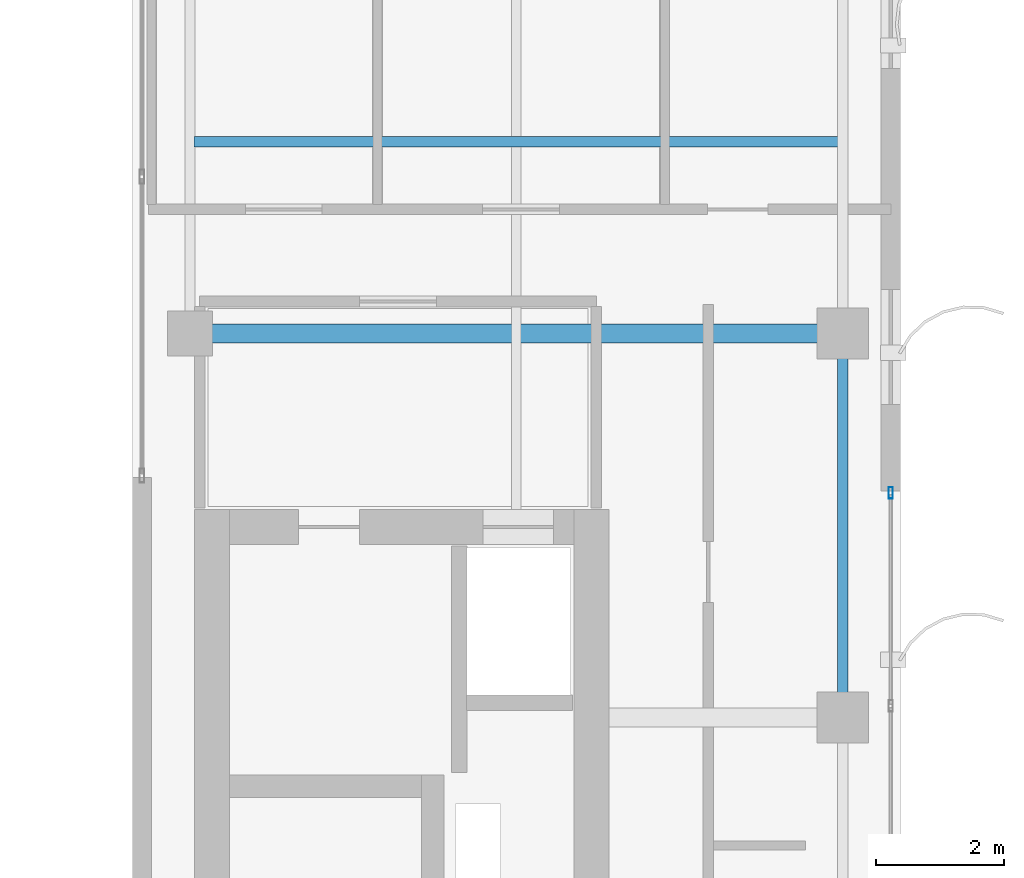
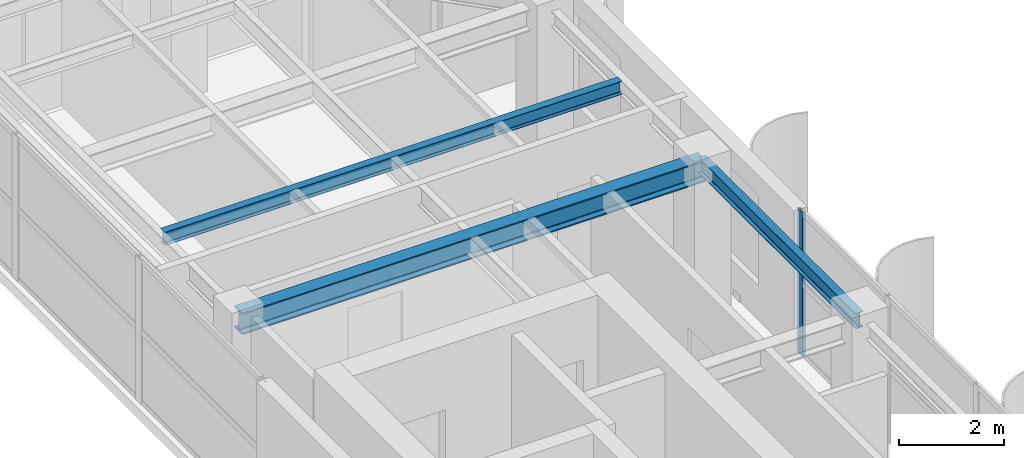
# One storey, part 13 of 24: 3 beams, 1 member, 1 element without a shape of its own.
"""IFC4 building model written with IfcOpenShell, lengths in metres."""

from ifc_helpers import new_model, si_unit, direction, frame, origin, origin_2d, place, context, subcontext, project, spatial, hollow_rectangle, i_section, extrude, source, transform, mapped, material, layer, layer_set, material_profile, profile_set, type_object, element, aggregate, save


model = new_model("IFC4")

# Units and contexts
model_context = context("Model", 3, precision=1e-05, world=origin(), true_north=direction((0.0, 1.0)))
body_context = subcontext(model_context, "Body", "Model", "MODEL_VIEW")
ifc_project = project(units=[si_unit("LENGTHUNIT", "METRE"), si_unit("AREAUNIT", "SQUARE_METRE"), si_unit("VOLUMEUNIT", "CUBIC_METRE"), si_unit("PLANEANGLEUNIT", "RADIAN"), si_unit("MASSUNIT", "GRAM", prefix="KILO")], contexts=[model_context])

# Site, building, storey
site_placement = place(None, origin())
site = spatial("IfcSite", under=ifc_project, at=site_placement, CompositionType="ELEMENT")
building_placement = place(site_placement, origin())
building = spatial("IfcBuilding", under=site, at=building_placement, Name="Khoralis Quay Care Tower", CompositionType="ELEMENT")
storey_placement = place(building_placement, frame((0.0, 0.0, 231.300048828125)))
storey = spatial("IfcBuildingStorey", under=building, at=storey_placement, Name="L60", CompositionType="ELEMENT", Elevation=231.300048828125)

# Beams
ifc_material_1 = material(Name="Steel S355", Category="steel")
ifc_material_profile_1 = material_profile(ifc_material_1, i_section(OverallWidth=0.169921875, OverallDepth=0.360107421875, WebThickness=0.008056640625, FlangeThickness=0.0126953125, FilletRadius=0.01806640625, at=origin_2d()), Name="Steel S355")
ifc_profile_set_1 = profile_set([ifc_material_profile_1], Name="Steel S355")
beam_type_1 = type_object("IfcBeamType", Name="BM-IPE360", PredefinedType="SPANDREL", material=ifc_profile_set_1)
shared_shape_1 = source(origin(), body_context, "Body", "SweptSolid", [
    extrude(i_section(OverallWidth=0.169921875, OverallDepth=0.360107421875, WebThickness=0.008056640625, FlangeThickness=0.0126953125, FilletRadius=0.01806640625, at=origin_2d()), origin(), (0.0, 0.0, 1.0), 6.0),
])
beam_1_placement = place(storey_placement, frame((41.10009765625, 24.0, 3.179931640625), z_axis=(0.0, 1.0, 0.0), x_axis=(-1.0, 0.0, 0.0)))
element("IfcBeam", 1, at=beam_1_placement, inside=storey, type_object=beam_type_1, Name="BM-TSP-L60-11", PredefinedType="SPANDREL", context=body_context, shape_type="MappedRepresentation", body=[
    mapped(shared_shape_1, transform((0.0, 0.0, 0.0), scale=1.0)),
])
ifc_material_profile_2 = material_profile(ifc_material_1, i_section(OverallWidth=0.300048828125, OverallDepth=0.5, WebThickness=0.014404296875, FlangeThickness=0.028076171875, FilletRadius=0.027099609375, at=origin_2d()), Name="Steel S355")
ifc_profile_set_2 = profile_set([ifc_material_profile_2], Name="Steel S355")
beam_type_2 = type_object("IfcBeamType", Name="BM-HEB500", PredefinedType="BEAM", material=ifc_profile_set_2)
shared_shape_2 = source(origin(), body_context, "Body", "SweptSolid", [
    extrude(i_section(OverallWidth=0.300048828125, OverallDepth=0.5, WebThickness=0.014404296875, FlangeThickness=0.028076171875, FilletRadius=0.027099609375, at=origin_2d()), origin(), (0.0, 0.0, 1.0), 10.2001953125),
])
beam_2_placement = place(storey_placement, frame((30.89990234375, 30.0, 3.10986328125), z_axis=(1.0, 0.0, 0.0), x_axis=(0.0, 1.0, 0.0)))
element("IfcBeam", 2, at=beam_2_placement, inside=storey, type_object=beam_type_2, Name="BM-TGXE-L60-300", PredefinedType="BEAM", context=body_context, shape_type="MappedRepresentation", body=[
    mapped(shared_shape_2, transform((0.0, 0.0, 0.0), scale=1.0)),
])
ifc_material_profile_3 = material_profile(ifc_material_1, i_section(OverallWidth=0.1650390625, OverallDepth=0.31005859375, WebThickness=0.005859375, FlangeThickness=0.009765625, FilletRadius=0.011962890625, at=origin_2d()), Name="Steel S355")
ifc_profile_set_3 = profile_set([ifc_material_profile_3], Name="Steel S355")
beam_type_3 = type_object("IfcBeamType", Name="BM-W310X39", PredefinedType="JOIST", material=ifc_profile_set_3)
shared_shape_3 = source(origin(), body_context, "Body", "SweptSolid", [
    extrude(i_section(OverallWidth=0.1650390625, OverallDepth=0.31005859375, WebThickness=0.005859375, FlangeThickness=0.009765625, FilletRadius=0.011962890625, at=origin_2d()), origin(), (0.0, 0.0, 1.0), 10.06396484375),
])
beam_3_placement = place(storey_placement, frame((30.965087890625, 33.0, 3.204833984375), z_axis=(1.0, 0.0, 0.0), x_axis=(0.0, 1.0, 0.0)))
element("IfcBeam", 3, at=beam_3_placement, inside=storey, type_object=beam_type_3, Name="BM-TJS-L60-20", PredefinedType="JOIST", context=body_context, shape_type="MappedRepresentation", body=[
    mapped(shared_shape_3, transform((0.0, 0.0, 0.0), scale=1.0)),
])

# Curtain wall, member
ifc_material_2 = material(Name="Pale anodised aluminium", Category="aluminium")
ifc_layer = layer(ifc_material_2, 0.159912109375)
ifc_layer_set = layer_set([ifc_layer], Name="Pale anodised aluminium")
curtain_wall_type = type_object("IfcCurtainWallType", Name="CW-SYS-Z3", PredefinedType="NOTDEFINED", material=ifc_layer_set)
curtain_wall_placement = place(storey_placement, origin())
curtain_wall = element("IfcCurtainWall", 4, at=curtain_wall_placement, inside=storey, type_object=curtain_wall_type, Name="L60 Unitised Curtain Wall CW-L60-P2-E5", PredefinedType="NOTDEFINED")
ifc_material_profile_4 = material_profile(ifc_material_2, hollow_rectangle(XDim=0.06494140625, YDim=0.179931640625, WallThickness=0.00390625, at=origin_2d()), Name="Pale anodised aluminium")
ifc_profile_set_4 = profile_set([ifc_material_profile_4], Name="Pale anodised aluminium")
member_type = type_object("IfcMemberType", Name="CW-MUL-180", PredefinedType="MULLION", material=ifc_profile_set_4)
shared_shape_4 = source(origin(), body_context, "Body", "SweptSolid", [
    extrude(hollow_rectangle(XDim=0.06494140625, YDim=0.179931640625, WallThickness=0.00390625, at=origin_2d()), origin(), (0.0, 0.0, 1.0), 3.35986328125),
])
member_placement = place(storey_placement, frame((41.85009765625, 27.510009765625, 0.0), z_axis=(0.0, 0.0, 1.0), x_axis=(-1.0, 0.0, 0.0)))
member = element("IfcMember", 5, at=member_placement, type_object=member_type, Name="CW3 mullion 4", PredefinedType="MULLION", context=body_context, shape_type="MappedRepresentation", body=[
    mapped(shared_shape_4, transform((0.0, 0.0, 0.0), scale=1.0)),
])
aggregate(curtain_wall, [member])

save(model, "model.ifc")
